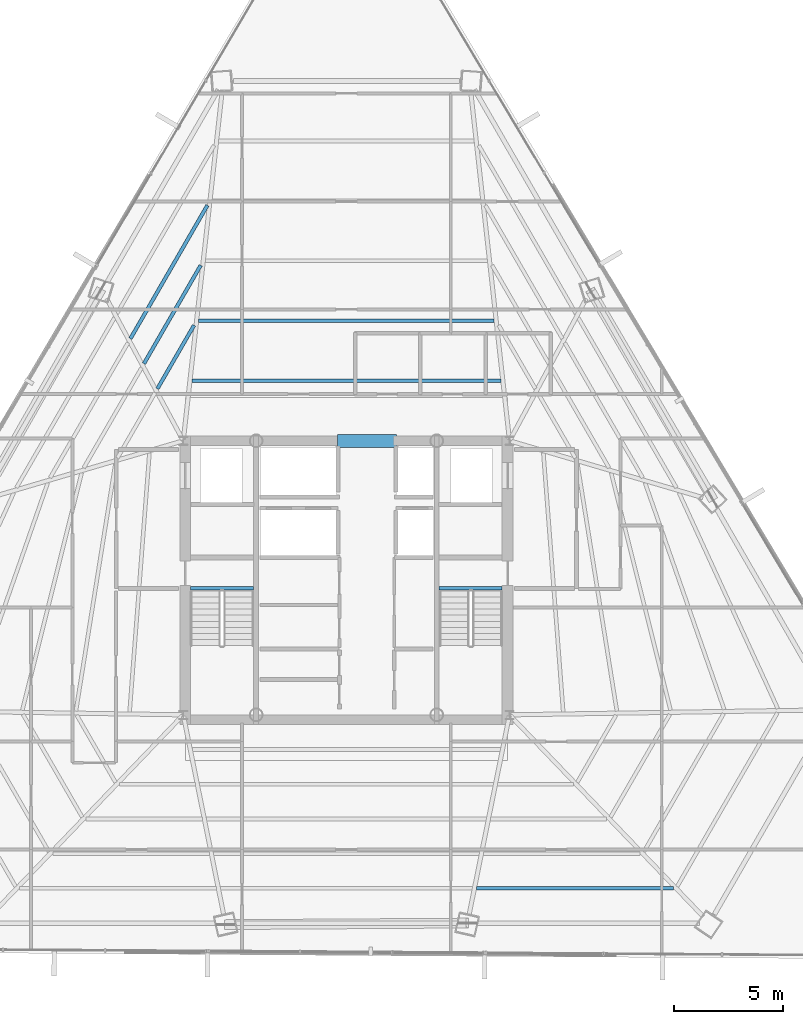
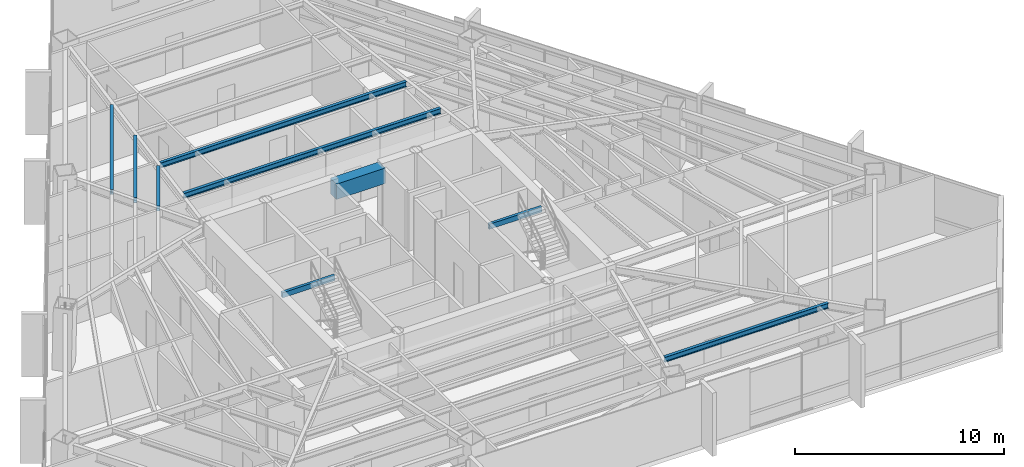
# One storey, part 15 of 40: 9 beams.
"""IFC4 building model written with IfcOpenShell, lengths in metres."""

from ifc_helpers import new_model, si_unit, direction, frame, origin, origin_2d, place, context, subcontext, project, spatial, rectangle, hollow_rectangle, i_section, extrude, source, transform, mapped, material, material_profile, profile_set, type_object, type_shapes, element, save


model = new_model("IFC4")

# Units and contexts
model_context = context("Model", 3, precision=1e-05, world=origin(), true_north=direction((0.0, 1.0)))
body_context = subcontext(model_context, "Body", "Model", "MODEL_VIEW")
ifc_project = project(units=[si_unit("LENGTHUNIT", "METRE"), si_unit("AREAUNIT", "SQUARE_METRE"), si_unit("VOLUMEUNIT", "CUBIC_METRE"), si_unit("PLANEANGLEUNIT", "RADIAN"), si_unit("MASSUNIT", "GRAM", prefix="KILO")], contexts=[model_context])

# Site, building, storey
site_placement = place(None, origin())
site = spatial("IfcSite", under=ifc_project, at=site_placement, CompositionType="ELEMENT")
building_placement = place(site_placement, origin())
building = spatial("IfcBuilding", under=site, at=building_placement, Name="Caelisora Broadcast Tower", CompositionType="ELEMENT")
storey_placement = place(building_placement, frame((0.0, 0.0, 176.75)))
storey = spatial("IfcBuildingStorey", under=building, at=storey_placement, Name="L46", CompositionType="ELEMENT", Elevation=176.75)

# Beams
ifc_material_1 = material(Name="Steel Grade 350 (AS/NZS 1163 C350L0)", Category="steel")
ifc_material_profile_1 = material_profile(ifc_material_1, hollow_rectangle(XDim=0.14990234375, YDim=0.300048828125, WallThickness=0.010009765625, at=origin_2d()), Name="Steel Grade 350 (AS/NZS 1163 C350L0)")
ifc_profile_set_1 = profile_set([ifc_material_profile_1], Name="Steel Grade 350 (AS/NZS 1163 C350L0)")
beam_type_1 = type_object("IfcBeamType", Name="SB05", PredefinedType="JOIST", material=ifc_profile_set_1)
shared_shape_1 = source(origin(), body_context, "Body", "SweptSolid", [
    extrude(hollow_rectangle(XDim=0.14990234375, YDim=0.300048828125, WallThickness=0.010009765625, at=origin_2d()), origin(), (0.0, 0.0, 1.0), 2.89990234375),
])
type_shapes(beam_type_1, [shared_shape_1])
for number, where, z_axis, x_axis, name in (
    (1, (30.840087890625, 23.219970703125, 3.25), (1.0, 0.0, 0.0), (0.0, 1.0, 0.0), "L46 beam SB05"),
    (2, (42.260009765625, 23.219970703125, 3.25), (1.0, 0.0, 0.0), (0.0, 1.0, 0.0), "L46 beam SB05"),
):
    element("IfcBeam", number, at=place(storey_placement, frame(where, z_axis=z_axis, x_axis=x_axis)), inside=storey, type_object=beam_type_1, Name=name, PredefinedType="JOIST", context=body_context, shape_type="MappedRepresentation", body=[
        mapped(shared_shape_1, transform((0.0, 0.0, 0.0), scale=1.0)),
    ])
ifc_material_2 = material(Name="Concrete 50 MPa (AS 3600 S50)", Category="concrete")
ifc_material_profile_2 = material_profile(ifc_material_2, rectangle(XDim=0.60009765625, YDim=0.89990234375, at=origin_2d()), Name="Concrete 50 MPa (AS 3600 S50)")
ifc_profile_set_2 = profile_set([ifc_material_profile_2], Name="Concrete 50 MPa (AS 3600 S50)")
beam_type_2 = type_object("IfcBeamType", Name="CB02", PredefinedType="LINTEL", material=ifc_profile_set_2)
shared_shape_2 = source(origin(), body_context, "Body", "SweptSolid", [
    extrude(rectangle(XDim=0.60009765625, YDim=0.89990234375, at=origin_2d()), origin(), (0.0, 0.0, 1.0), 2.699951171875),
])
type_shapes(beam_type_2, [shared_shape_2])
beam_1_placement = place(storey_placement, frame((37.60009765625, 30.0, 2.949951171875), z_axis=(1.0, 0.0, 0.0), x_axis=(0.0, 1.0, 0.0)))
element("IfcBeam", 3, at=beam_1_placement, inside=storey, type_object=beam_type_2, Name="L46 beam CB02", PredefinedType="LINTEL", context=body_context, shape_type="MappedRepresentation", body=[
    mapped(shared_shape_2, transform((0.0, 0.0, 0.0), scale=1.0)),
])
ifc_material_3 = material(Name="Steel Grade 350 (AS/NZS 3679.1)", Category="steel")
ifc_material_profile_3 = material_profile(ifc_material_3, i_section(OverallWidth=0.166015625, OverallDepth=0.30712890625, WebThickness=0.006591796875, FlangeThickness=0.01171875, at=origin_2d()), Name="Steel Grade 350 (AS/NZS 3679.1)")
ifc_profile_set_3 = profile_set([ifc_material_profile_3], Name="Steel Grade 350 (AS/NZS 3679.1)")
beam_type_3 = type_object("IfcBeamType", Name="SB03", PredefinedType="JOIST", material=ifc_profile_set_3)
shared_shape_3 = source(origin(), body_context, "Body", "SweptSolid", [
    extrude(i_section(OverallWidth=0.166015625, OverallDepth=0.30712890625, WebThickness=0.006591796875, FlangeThickness=0.01171875, at=origin_2d()), origin(), (0.0, 0.0, 1.0), 14.201171875),
])
beam_2_placement = place(storey_placement, frame((45.1005859375, 32.7568359375, 3.246337890625), z_axis=(-1.0, 0.0, 0.0), x_axis=(0.0, -1.0, 0.0)))
element("IfcBeam", 4, at=beam_2_placement, inside=storey, type_object=beam_type_3, Name="L46 beam SB03", PredefinedType="JOIST", context=body_context, shape_type="MappedRepresentation", body=[
    mapped(shared_shape_3, transform((0.0, 0.0, 0.0), scale=1.0)),
])
shared_shape_4 = source(origin(), body_context, "Body", "SweptSolid", [
    extrude(i_section(OverallWidth=0.166015625, OverallDepth=0.30712890625, WebThickness=0.006591796875, FlangeThickness=0.01171875, at=origin_2d()), origin(), (0.0, 0.0, 1.0), 13.58837890625),
])
beam_3_placement = place(storey_placement, frame((44.794189453125, 35.513671875, 3.246337890625), z_axis=(-1.0, 0.0, 0.0), x_axis=(0.0, -1.0, 0.0)))
element("IfcBeam", 5, at=beam_3_placement, inside=storey, type_object=beam_type_3, Name="L46 beam SB03", PredefinedType="JOIST", context=body_context, shape_type="MappedRepresentation", body=[
    mapped(shared_shape_4, transform((0.0, 0.0, 0.0), scale=1.0)),
])
shared_shape_5 = source(origin(), body_context, "Body", "SweptSolid", [
    extrude(i_section(OverallWidth=0.166015625, OverallDepth=0.30712890625, WebThickness=0.006591796875, FlangeThickness=0.01171875, at=origin_2d()), origin(), (0.0, 0.0, 1.0), 3.36474609375),
])
beam_4_placement = place(storey_placement, frame((30.995361328125, 35.31005859375, 3.246337890625), z_axis=(-0.500017661448, -0.866015206702, 0.0), x_axis=(0.866015206702, -0.500017661448, 0.0)))
element("IfcBeam", 6, at=beam_4_placement, inside=storey, type_object=beam_type_3, Name="L46 beam SB03", PredefinedType="JOIST", context=body_context, shape_type="MappedRepresentation", body=[
    mapped(shared_shape_5, transform((0.0, 0.0, 0.0), scale=1.0)),
])
shared_shape_6 = source(origin(), body_context, "Body", "SweptSolid", [
    extrude(i_section(OverallWidth=0.166015625, OverallDepth=0.30712890625, WebThickness=0.006591796875, FlangeThickness=0.01171875, at=origin_2d()), origin(), (0.0, 0.0, 1.0), 5.218994140625),
])
beam_5_placement = place(storey_placement, frame((31.3017578125, 38.06689453125, 3.246337890625), z_axis=(-0.500018049466, -0.86601498267, 0.0), x_axis=(0.86601498267, -0.500018049466, 0.0)))
element("IfcBeam", 7, at=beam_5_placement, inside=storey, type_object=beam_type_3, Name="L46 beam SB03", PredefinedType="JOIST", context=body_context, shape_type="MappedRepresentation", body=[
    mapped(shared_shape_6, transform((0.0, 0.0, 0.0), scale=1.0)),
])
shared_shape_7 = source(origin(), body_context, "Body", "SweptSolid", [
    extrude(i_section(OverallWidth=0.166015625, OverallDepth=0.30712890625, WebThickness=0.006591796875, FlangeThickness=0.01171875, at=origin_2d()), origin(), (0.0, 0.0, 1.0), 7.07373046875),
])
beam_6_placement = place(storey_placement, frame((31.608154296875, 40.82373046875, 3.246337890625), z_axis=(-0.500003288626, -0.866023505087, 0.0), x_axis=(0.866023505087, -0.500003288626, 0.0)))
element("IfcBeam", 8, at=beam_6_placement, inside=storey, type_object=beam_type_3, Name="L46 beam SB03", PredefinedType="JOIST", context=body_context, shape_type="MappedRepresentation", body=[
    mapped(shared_shape_7, transform((0.0, 0.0, 0.0), scale=1.0)),
])
shared_shape_8 = source(origin(), body_context, "Body", "SweptSolid", [
    extrude(i_section(OverallWidth=0.166015625, OverallDepth=0.30712890625, WebThickness=0.006591796875, FlangeThickness=0.01171875, at=origin_2d()), origin(), (0.0, 0.0, 1.0), 9.048583984375),
])
type_shapes(beam_type_3, [shared_shape_3, shared_shape_4, shared_shape_5, shared_shape_6, shared_shape_7, shared_shape_8])
beam_7_placement = place(storey_placement, frame((43.980712890625, 9.422119140625, 3.246337890625), z_axis=(1.0, 0.0, 0.0), x_axis=(0.0, 1.0, 0.0)))
element("IfcBeam", 9, at=beam_7_placement, inside=storey, type_object=beam_type_3, Name="L46 beam SB03", PredefinedType="JOIST", context=body_context, shape_type="MappedRepresentation", body=[
    mapped(shared_shape_8, transform((0.0, 0.0, 0.0), scale=1.0)),
])

save(model, "model.ifc")
